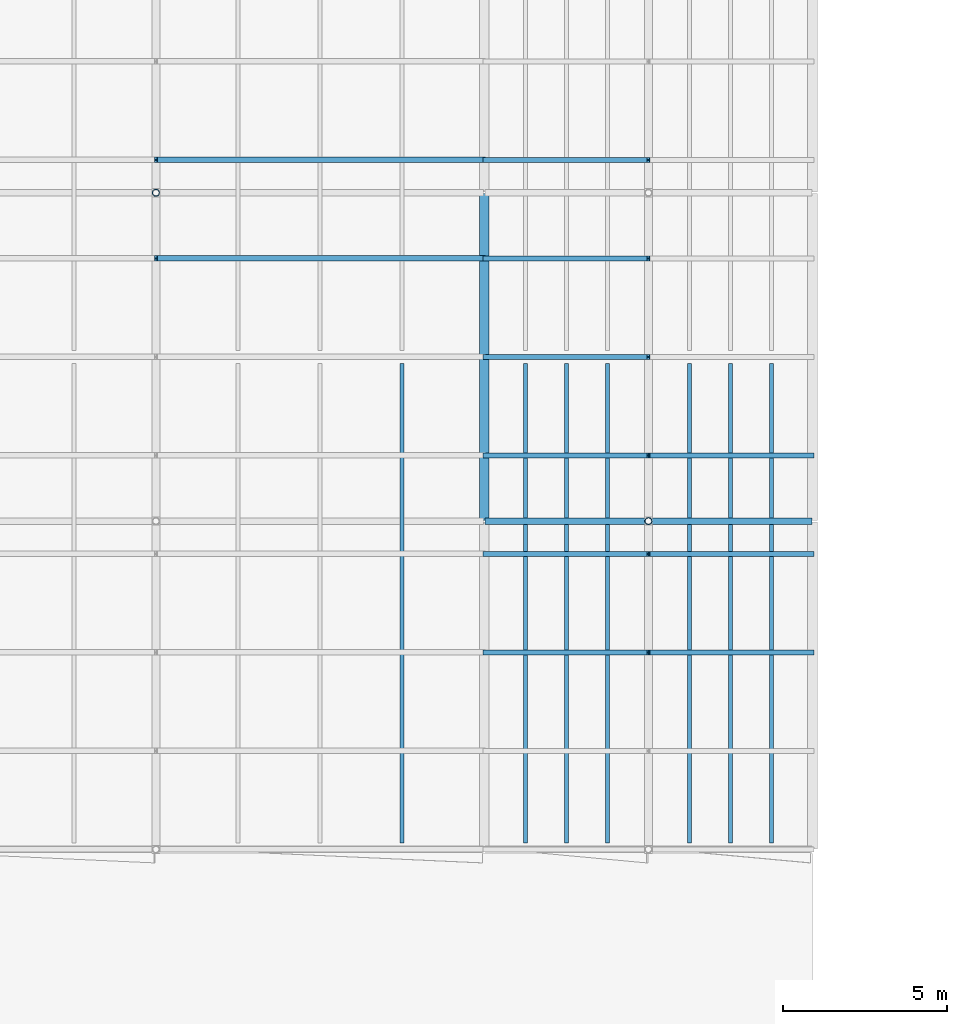
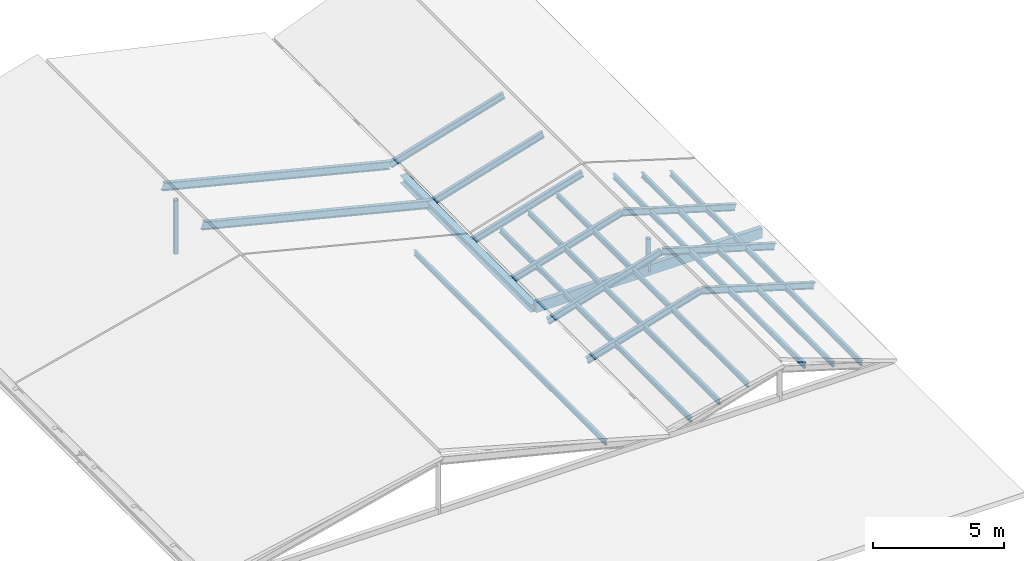
# One storey, part 4 of 90: 20 members, 2 beams.
"""IFC4 building model written with IfcOpenShell, lengths in metres."""

from ifc_helpers import new_model, si_unit, direction, frame, origin, origin_2d, place, context, subcontext, project, spatial, rectangle, hollow_circle, i_section, extrude, material, material_profile, profile_set, type_object, element, save


model = new_model("IFC4")

# Units and contexts
model_context = context("Model", 3, precision=1e-05, world=origin(), true_north=direction((0.0, 1.0)))
body_context = subcontext(model_context, "Body", "Model", "MODEL_VIEW")
ifc_project = project(units=[si_unit("LENGTHUNIT", "METRE"), si_unit("AREAUNIT", "SQUARE_METRE"), si_unit("VOLUMEUNIT", "CUBIC_METRE"), si_unit("PLANEANGLEUNIT", "RADIAN"), si_unit("MASSUNIT", "GRAM", prefix="KILO"), si_unit("THERMODYNAMICTEMPERATUREUNIT", "KELVIN"), si_unit("POWERUNIT", "WATT")], contexts=[model_context])

# Site, building, storey
site_placement = place(None, origin())
site = spatial("IfcSite", under=ifc_project, at=site_placement, CompositionType="ELEMENT")
building_placement = place(site_placement, origin())
building = spatial("IfcBuilding", under=site, at=building_placement, Name="Korenveer Ferry Terminal", CompositionType="ELEMENT")
storey_placement = place(building_placement, frame((0.0, 0.0, 22.199951171875)))
storey = spatial("IfcBuildingStorey", under=building, at=storey_placement, Name="RF", CompositionType="ELEMENT", Elevation=22.199951171875)

# Beam
ifc_material_1 = material(Name="Steel S355", Category="steel")
ifc_material_profile_1 = material_profile(ifc_material_1, i_section(OverallWidth=0.300048828125, OverallDepth=0.360107421875, WebThickness=0.012451171875, FlangeThickness=0.0224609375, FilletRadius=0.027099609375, at=origin_2d()), Name="HEB 360")
ifc_profile_set_1 = profile_set([ifc_material_profile_1], Name="Steel S355")
beam_type_1 = type_object("IfcBeamType", Name="STR-BM-HEB360", PredefinedType="BEAM", material=ifc_profile_set_1)
beam_1_placement = place(storey_placement, frame((20.0, 40.02001953125, 0.179931640625), z_axis=(0.0, 1.0, 0.0), x_axis=(-1.0, 0.0, 0.0)))
element("IfcBeam", 1, at=beam_1_placement, inside=storey, type_object=beam_type_1, Name="Wing eave beam WEST 176", PredefinedType="BEAM", context=body_context, shape_type="SweptSolid", body=[
    extrude(i_section(OverallWidth=0.300048828125, OverallDepth=0.360107421875, WebThickness=0.012451171875, FlangeThickness=0.0224609375, FilletRadius=0.027099609375, at=origin_2d()), origin(), (0.0, 0.0, 1.0), 9.9599609375),
])

# Members
ifc_material_profile_2 = material_profile(ifc_material_1, i_section(OverallWidth=0.1201171875, OverallDepth=0.239990234375, WebThickness=0.006103515625, FlangeThickness=0.009765625, FilletRadius=0.014892578125, at=origin_2d()), Name="IPE 240")
ifc_profile_set_2 = profile_set([ifc_material_profile_2], Name="Steel S355")
member_type_1 = type_object("IfcMemberType", Name="STR-PUR-IPE240", PredefinedType="PURLIN", material=ifc_profile_set_2)
for number, where, z_axis, x_axis, name in (
    (2, (17.5, 30.199951171875, 0.7451171875), (0.0, 1.0, 0.0), (-1.0, 0.0, 0.0), "Pitched wing roof steel purlin 287"),
    (3, (21.25, 30.199951171875, 0.4951171875), (0.0, 1.0, 0.0), (-1.0, 0.0, 0.0), "Pitched wing roof steel purlin 289"),
    (4, (22.5, 30.199951171875, 0.8701171875), (0.0, 1.0, 0.0), (-1.0, 0.0, 0.0), "Pitched wing roof steel purlin 291"),
    (5, (23.75, 30.199951171875, 1.2451171875), (0.0, 1.0, 0.0), (-1.0, 0.0, 0.0), "Pitched wing roof steel purlin 293"),
    (6, (26.25, 30.199951171875, 1.2451171875), (0.0, 1.0, 0.0), (-1.0, 0.0, 0.0), "Pitched wing roof steel purlin 295"),
    (7, (27.5, 30.199951171875, 0.8701171875), (0.0, 1.0, 0.0), (-1.0, 0.0, 0.0), "Pitched wing roof steel purlin 297"),
    (8, (28.75, 30.199951171875, 0.4951171875), (0.0, 1.0, 0.0), (-1.0, 0.0, 0.0), "Pitched wing roof steel purlin 299"),
):
    element("IfcMember", number, at=place(storey_placement, frame(where, z_axis=z_axis, x_axis=x_axis)), inside=storey, type_object=member_type_1, Name=name, PredefinedType="PURLIN", context=body_context, shape_type="SweptSolid", body=[
        extrude(i_section(OverallWidth=0.1201171875, OverallDepth=0.239990234375, WebThickness=0.006103515625, FlangeThickness=0.009765625, FilletRadius=0.014892578125, at=origin_2d()), origin(), (0.0, 0.0, 1.0), 14.60009765625),
    ])
ifc_material_profile_3 = material_profile(ifc_material_1, i_section(OverallWidth=0.14990234375, OverallDepth=0.300048828125, WebThickness=0.007080078125, FlangeThickness=0.0107421875, FilletRadius=0.014892578125, at=origin_2d()), Name="IPE 300")
ifc_profile_set_3 = profile_set([ifc_material_profile_3], Name="Steel S355")
member_type_2 = type_object("IfcMemberType", Name="STR-RAF-IPE300", PredefinedType="RAFTER", material=ifc_profile_set_3)
for number, where, z_axis, x_axis, name in (
    (9, (20.0, 36.0, 0.179931640625), (0.957826285221, 0.0, 0.287347885566), (0.0, 1.0, 0.0), "Pitched roof rafter 111"),
    (10, (25.0, 36.0, 1.679931640625), (0.957826285221, 0.0, -0.287347885566), (0.0, 1.0, 0.0), "Pitched roof rafter 112"),
    (11, (20.0, 39.0, 0.179931640625), (0.957826285221, 0.0, 0.287347885566), (0.0, 1.0, 0.0), "Pitched roof rafter 113"),
    (12, (25.0, 39.0, 1.679931640625), (0.957826285221, 0.0, -0.287347885566), (0.0, 1.0, 0.0), "Pitched roof rafter 114"),
    (13, (20.0, 42.0, 0.179931640625), (0.957826285221, 0.0, 0.287347885566), (0.0, 1.0, 0.0), "Pitched roof rafter 115"),
    (14, (25.0, 42.0, 1.679931640625), (0.957826285221, 0.0, -0.287347885566), (0.0, 1.0, 0.0), "Pitched roof rafter 116"),
    (15, (20.0, 45.0, 0.179931640625), (0.957826285221, 0.0, 0.287347885566), (0.0, 1.0, 0.0), "Pitched roof rafter 117"),
    (16, (20.0, 48.0, 0.179931640625), (0.957826285221, 0.0, 0.287347885566), (0.0, 1.0, 0.0), "Pitched roof rafter 119"),
    (17, (20.0, 51.0, 0.179931640625), (0.957826285221, 0.0, 0.287347885566), (0.0, 1.0, 0.0), "Pitched roof rafter 121"),
):
    element("IfcMember", number, at=place(storey_placement, frame(where, z_axis=z_axis, x_axis=x_axis)), inside=storey, type_object=member_type_2, Name=name, PredefinedType="RAFTER", context=body_context, shape_type="SweptSolid", body=[
        extrude(i_section(OverallWidth=0.14990234375, OverallDepth=0.300048828125, WebThickness=0.007080078125, FlangeThickness=0.0107421875, FilletRadius=0.014892578125, at=origin_2d()), origin(), (0.0, 0.0, 1.0), 5.22021484375),
    ])
ifc_material_profile_4 = material_profile(ifc_material_1, i_section(OverallWidth=0.169921875, OverallDepth=0.360107421875, WebThickness=0.008056640625, FlangeThickness=0.0126953125, FilletRadius=0.01806640625, at=origin_2d()), Name="IPE 360")
ifc_profile_set_4 = profile_set([ifc_material_profile_4], Name="Steel S355")
member_type_3 = type_object("IfcMemberType", Name="STR-RAF-IPE360", PredefinedType="RAFTER", material=ifc_profile_set_4)
for number, where, z_axis, x_axis, name in (
    (18, (10.0, 48.0, 2.679931640625), (0.970142500145, 0.0, -0.242535625036), (0.0, 1.0, 0.0), "Pitched roof rafter 98"),
    (19, (10.0, 51.0, 2.679931640625), (0.970142500145, 0.0, -0.242535625036), (0.0, 1.0, 0.0), "Pitched roof rafter 100"),
):
    element("IfcMember", number, at=place(storey_placement, frame(where, z_axis=z_axis, x_axis=x_axis)), inside=storey, type_object=member_type_3, Name=name, PredefinedType="RAFTER", context=body_context, shape_type="SweptSolid", body=[
        extrude(i_section(OverallWidth=0.169921875, OverallDepth=0.360107421875, WebThickness=0.008056640625, FlangeThickness=0.0126953125, FilletRadius=0.01806640625, at=origin_2d()), origin(), (0.0, 0.0, 1.0), 10.307861328125),
    ])

# Beam
ifc_material_2 = material(Name="Glulam GL28h", Category="wood")
ifc_material_profile_5 = material_profile(ifc_material_2, rectangle(XDim=0.199951171875, YDim=0.47998046875, at=origin_2d()), Name="GL 200x480")
ifc_profile_set_5 = profile_set([ifc_material_profile_5], Name="Glulam GL28h")
beam_type_2 = type_object("IfcBeamType", Name="STR-RFG-GL200", PredefinedType="USERDEFINED", material=ifc_profile_set_5)
beam_2_placement = place(storey_placement, frame((20.02001953125, 40.0, 0.239990234375), z_axis=(1.0, 0.0, 0.0), x_axis=(0.0, 1.0, 0.0)))
element("IfcBeam", 20, at=beam_2_placement, inside=storey, type_object=beam_type_2, Name="Wing roof collar tie WESTL4E 188", ObjectType="ROOF GIRDER", PredefinedType="USERDEFINED", context=body_context, shape_type="SweptSolid", body=[
    extrude(rectangle(XDim=0.199951171875, YDim=0.47998046875, at=origin_2d()), origin(), (0.0, 0.0, 1.0), 9.9599609375),
])

# Members
ifc_material_profile_6 = material_profile(ifc_material_1, hollow_circle(Radius=0.109619140625, WallThickness=0.012451171875, at=origin_2d()), Name="CHS 219.1x12.5")
ifc_profile_set_6 = profile_set([ifc_material_profile_6], Name="Steel S355")
member_type_4 = type_object("IfcMemberType", Name="STR-STT-CHS219", PredefinedType="STRUT", material=ifc_profile_set_6)
member_1_placement = place(storey_placement, frame((10.0, 50.0, 0.179931640625), z_axis=(0.0, 0.0, 1.0), x_axis=(1.0, 0.0, 0.0)))
element("IfcMember", 21, at=member_1_placement, inside=storey, type_object=member_type_4, Name="Wing ridge strut STTWR-WEST-Y50", PredefinedType="STRUT", context=body_context, shape_type="SweptSolid", body=[
    extrude(hollow_circle(Radius=0.109619140625, WallThickness=0.012451171875, at=origin_2d()), origin(), (0.0, 0.0, 1.0), 2.5),
])
member_2_placement = place(storey_placement, frame((25.0, 40.0, 0.179931640625), z_axis=(0.0, 0.0, 1.0), x_axis=(1.0, 0.0, 0.0)))
element("IfcMember", 22, at=member_2_placement, inside=storey, type_object=member_type_4, Name="Wing ridge strut STTWR-WESTL4E-Y40", PredefinedType="STRUT", context=body_context, shape_type="SweptSolid", body=[
    extrude(hollow_circle(Radius=0.109619140625, WallThickness=0.012451171875, at=origin_2d()), origin(), (0.0, 0.0, 1.0), 1.5),
])

save(model, "model.ifc")
